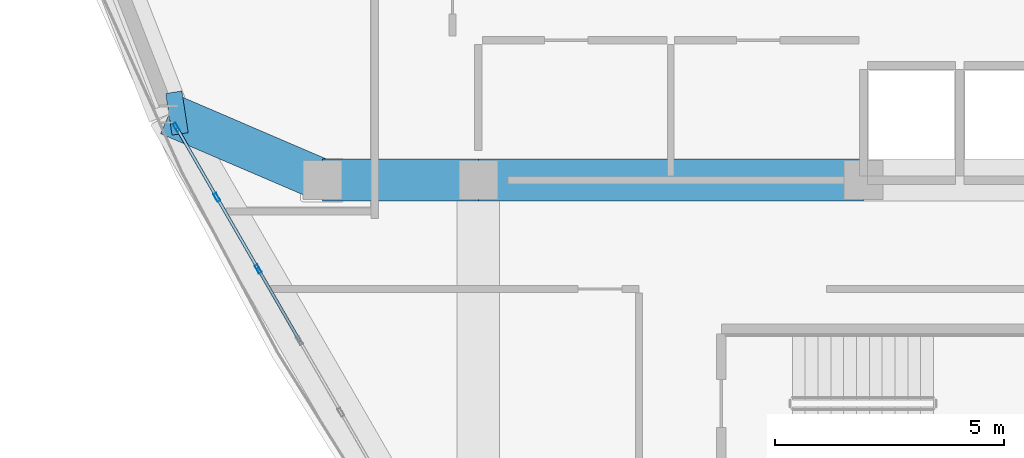
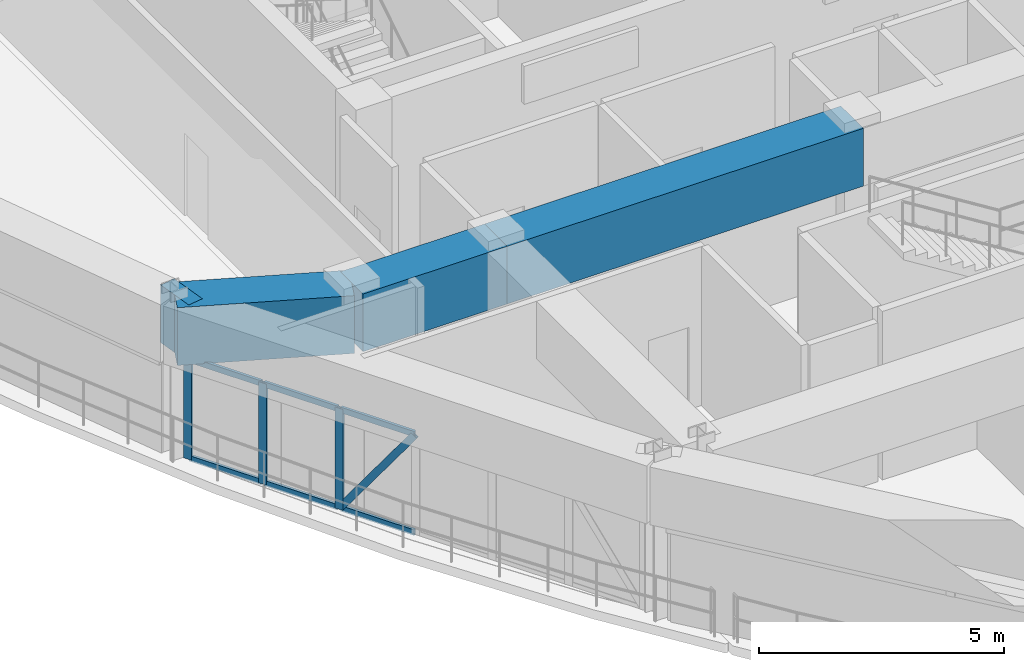
# One storey, part 5 of 18: 10 members, 4 beams, 1 element without a shape of its own.
"""IFC4 building model written with IfcOpenShell, lengths in metres."""

from ifc_helpers import new_model, si_unit, derived_unit, direction, frame, origin, origin_2d, place, context, subcontext, project, spatial, rectangle, hollow_rectangle, extrude, source, transform, mapped, material, layer, layer_set, material_profile, profile_set, type_object, element, aggregate, save


model = new_model("IFC4")

# Units and contexts
model_context = context("Model", 3, precision=1e-05, world=origin(), true_north=direction((0.0, 1.0)))
body_context = subcontext(model_context, "Body", "Model", "MODEL_VIEW")
ifc_project = project(units=[si_unit("LENGTHUNIT", "METRE"), si_unit("AREAUNIT", "SQUARE_METRE"), si_unit("VOLUMEUNIT", "CUBIC_METRE"), si_unit("PLANEANGLEUNIT", "RADIAN"), si_unit("MASSUNIT", "GRAM", prefix="KILO"), derived_unit("THERMALTRANSMITTANCEUNIT", [(si_unit("POWERUNIT", "WATT"), 1), (si_unit("LENGTHUNIT", "METRE"), -2), (si_unit("THERMODYNAMICTEMPERATUREUNIT", "KELVIN"), -1)])], contexts=[model_context])

# Site, building, storey
site_placement = place(None, origin())
site = spatial("IfcSite", under=ifc_project, at=site_placement, CompositionType="ELEMENT")
building_placement = place(site_placement, origin())
building = spatial("IfcBuilding", under=site, at=building_placement, Name="Korsvarv Bourse and Concert Hall", CompositionType="ELEMENT")
storey_placement = place(building_placement, frame((0.0, 0.0, 275.39990234375)))
storey = spatial("IfcBuildingStorey", under=building, at=storey_placement, Name="L72", CompositionType="ELEMENT", Elevation=275.39990234375)

# Beams
ifc_material_1 = material(Name="Concrete C50/60", Category="concrete")
ifc_material_profile_1 = material_profile(ifc_material_1, rectangle(XDim=0.919921875, YDim=1.43994140625, at=origin_2d()), Name="RC-BM 920x1440")
ifc_profile_set_1 = profile_set([ifc_material_profile_1], Name="Concrete C50/60")
beam_type = type_object("IfcBeamType", Name="BM-TR-144", PredefinedType="BEAM", material=ifc_profile_set_1)
shared_shape_1 = source(origin(), body_context, "Body", "SweptSolid", [
    extrude(rectangle(XDim=0.919921875, YDim=1.43994140625, at=origin_2d()), origin(), (0.0, 0.0, 1.0), 3.400146484375),
])
beam_1_placement = place(storey_placement, frame((24.199951171875, 32.39990234375, 3.239990234375), z_axis=(1.0, 0.0, 0.0), x_axis=(0.0, 1.0, 0.0)))
element("IfcBeam", 1, at=beam_1_placement, inside=storey, type_object=beam_type, Name="L72 beam B-TR4", PredefinedType="BEAM", context=body_context, shape_type="MappedRepresentation", body=[
    mapped(shared_shape_1, transform((0.0, 0.0, 0.0), scale=1.0)),
])
shared_shape_2 = source(origin(), body_context, "Body", "SweptSolid", [
    extrude(rectangle(XDim=0.919921875, YDim=1.43994140625, at=origin_2d()), origin(), (0.0, 0.0, 1.0), 8.39990234375),
])
beam_2_placement = place(storey_placement, frame((27.60009765625, 32.39990234375, 3.239990234375), z_axis=(1.0, 0.0, 0.0), x_axis=(0.0, 1.0, 0.0)))
element("IfcBeam", 2, at=beam_2_placement, inside=storey, type_object=beam_type, Name="L72 beam B-TR4", PredefinedType="BEAM", context=body_context, shape_type="MappedRepresentation", body=[
    mapped(shared_shape_2, transform((0.0, 0.0, 0.0), scale=1.0)),
])
shared_shape_3 = source(origin(), body_context, "Body", "SweptSolid", [
    extrude(rectangle(XDim=0.919921875, YDim=1.43994140625, at=origin_2d()), origin(), (0.0, 0.0, 1.0), 3.641845703125),
])
beam_3_placement = place(storey_placement, frame((20.85302734375, 33.835693359375, 3.239990234375), z_axis=(0.9190062764, -0.394242899665, 0.0), x_axis=(0.394242899665, 0.9190062764, 0.0)))
element("IfcBeam", 3, at=beam_3_placement, inside=storey, type_object=beam_type, Name="L72 beam B-TR4", PredefinedType="BEAM", context=body_context, shape_type="MappedRepresentation", body=[
    mapped(shared_shape_3, transform((0.0, 0.0, 0.0), scale=1.0)),
])
shared_shape_4 = source(origin(), body_context, "Body", "SweptSolid", [
    extrude(rectangle(XDim=0.919921875, YDim=1.43994140625, at=origin_2d()), origin(), (0.0, 0.0, 1.0), 0.3564453125),
])
beam_4_placement = place(storey_placement, frame((20.85302734375, 33.835693359375, 3.239990234375), z_axis=(0.988576712642, 0.150718556328, 0.0), x_axis=(-0.150718556328, 0.988576712642, 0.0)))
element("IfcBeam", 4, at=beam_4_placement, inside=storey, type_object=beam_type, Name="L72 beam B-TR4", PredefinedType="BEAM", context=body_context, shape_type="MappedRepresentation", body=[
    mapped(shared_shape_4, transform((0.0, 0.0, 0.0), scale=1.0)),
])

# Curtain wall, members
ifc_material_2 = material(Name="Anodised aluminium and triple low-E glazing", Category="glass")
ifc_layer = layer(ifc_material_2, 0.18994140625)
ifc_layer_set = layer_set([ifc_layer], Name="Anodised aluminium and triple low-E glazing")
curtain_wall_type = type_object("IfcCurtainWallType", Name="CW-SYS-4", PredefinedType="NOTDEFINED", material=ifc_layer_set)
curtain_wall_placement = place(storey_placement, origin())
curtain_wall = element("IfcCurtainWall", 5, at=curtain_wall_placement, inside=storey, type_object=curtain_wall_type, Name="L72 CW4 curtain wall CW-L72-F07", PredefinedType="NOTDEFINED")
ifc_material_3 = material(Name="Extruded aluminium EN AW-6063 T66", Category="aluminium")
ifc_material_profile_2 = material_profile(ifc_material_3, hollow_rectangle(XDim=0.070068359375, YDim=0.18994140625, WallThickness=0.0048828125, at=origin_2d()), Name="ALU-M 70x190")
ifc_profile_set_2 = profile_set([ifc_material_profile_2], Name="Extruded aluminium EN AW-6063 T66")
member_type_1 = type_object("IfcMemberType", Name="CWM-190", PredefinedType="MULLION", material=ifc_profile_set_2)
shared_shape_5 = source(origin(), body_context, "Body", "SweptSolid", [
    extrude(hollow_rectangle(XDim=0.070068359375, YDim=0.18994140625, WallThickness=0.0048828125, at=origin_2d()), origin(), (0.0, 0.0, 1.0), 2.52001953125),
])
member_1_placement = place(storey_placement, frame((21.0146484375, 33.555908203125, 0.0), z_axis=(0.0, 0.0, 1.0), x_axis=(0.866023090804, 0.500004006179, 0.0)))
member_1 = element("IfcMember", 6, at=member_1_placement, type_object=member_type_1, Name="CW4 mullion 1", PredefinedType="MULLION", context=body_context, shape_type="MappedRepresentation", body=[
    mapped(shared_shape_5, transform((0.0, 0.0, 0.0), scale=1.0)),
])
member_2_placement = place(storey_placement, frame((21.89892578125, 32.024169921875, 0.0), z_axis=(0.0, 0.0, 1.0), x_axis=(0.866023090804, 0.500004006179, 0.0)))
member_2 = element("IfcMember", 7, at=member_2_placement, type_object=member_type_1, Name="CW4 mullion 2", PredefinedType="MULLION", context=body_context, shape_type="MappedRepresentation", body=[
    mapped(shared_shape_5, transform((0.0, 0.0, 0.0), scale=1.0)),
])
member_3_placement = place(storey_placement, frame((22.80078125, 30.462158203125, 0.0), z_axis=(0.0, 0.0, 1.0), x_axis=(0.866023090804, 0.500004006179, 0.0)))
member_3 = element("IfcMember", 8, at=member_3_placement, type_object=member_type_1, Name="CW4 mullion 3", PredefinedType="MULLION", context=body_context, shape_type="MappedRepresentation", body=[
    mapped(shared_shape_5, transform((0.0, 0.0, 0.0), scale=1.0)),
])
ifc_material_profile_3 = material_profile(ifc_material_3, hollow_rectangle(XDim=0.06494140625, YDim=0.139892578125, WallThickness=0.00390625, at=origin_2d()), Name="ALU-T 65x140")
ifc_profile_set_3 = profile_set([ifc_material_profile_3], Name="Extruded aluminium EN AW-6063 T66")
member_type_2 = type_object("IfcMemberType", Name="CWT-140", PredefinedType="USERDEFINED", material=ifc_profile_set_3)
shared_shape_6 = source(origin(), body_context, "Body", "SweptSolid", [
    extrude(hollow_rectangle(XDim=0.06494140625, YDim=0.139892578125, WallThickness=0.00390625, at=origin_2d()), origin(), (0.0, 0.0, 1.0), 1.69873046875),
])
member_4_placement = place(storey_placement, frame((21.031982421875, 33.525634765625, 0.03271484375), z_axis=(0.499987849973, -0.866032418492, 0.0), x_axis=(0.866032418492, 0.499987849973, 0.0)))
member_4 = element("IfcMember", 9, at=member_4_placement, type_object=member_type_2, Name="CW4 transom 1.1", ObjectType="TRANSOM", PredefinedType="USERDEFINED", context=body_context, shape_type="MappedRepresentation", body=[
    mapped(shared_shape_6, transform((0.0, 0.0, 0.0), scale=1.0)),
])
member_5_placement = place(storey_placement, frame((21.031982421875, 33.525634765625, 2.487548828125), z_axis=(0.499987849973, -0.866032418492, 0.0), x_axis=(0.866032418492, 0.499987849973, 0.0)))
member_5 = element("IfcMember", 10, at=member_5_placement, type_object=member_type_2, Name="CW4 transom 1.2", ObjectType="TRANSOM", PredefinedType="USERDEFINED", context=body_context, shape_type="MappedRepresentation", body=[
    mapped(shared_shape_6, transform((0.0, 0.0, 0.0), scale=1.0)),
])
shared_shape_7 = source(origin(), body_context, "Body", "SweptSolid", [
    extrude(hollow_rectangle(XDim=0.06494140625, YDim=0.139892578125, WallThickness=0.00390625, at=origin_2d()), origin(), (0.0, 0.0, 1.0), 1.733642578125),
])
member_6_placement = place(storey_placement, frame((21.91650390625, 31.993896484375, 0.03271484375), z_axis=(0.499925626596, -0.866068339032, 0.0), x_axis=(0.866068339032, 0.499925626596, 0.0)))
member_6 = element("IfcMember", 11, at=member_6_placement, type_object=member_type_2, Name="CW4 transom 2.1", ObjectType="TRANSOM", PredefinedType="USERDEFINED", context=body_context, shape_type="MappedRepresentation", body=[
    mapped(shared_shape_7, transform((0.0, 0.0, 0.0), scale=1.0)),
])
member_7_placement = place(storey_placement, frame((21.91650390625, 31.993896484375, 2.487548828125), z_axis=(0.499925626596, -0.866068339032, 0.0), x_axis=(0.866068339032, 0.499925626596, 0.0)))
member_7 = element("IfcMember", 12, at=member_7_placement, type_object=member_type_2, Name="CW4 transom 2.2", ObjectType="TRANSOM", PredefinedType="USERDEFINED", context=body_context, shape_type="MappedRepresentation", body=[
    mapped(shared_shape_7, transform((0.0, 0.0, 0.0), scale=1.0)),
])
member_8_placement = place(storey_placement, frame((22.818359375, 30.431884765625, 0.03271484375), z_axis=(0.499925626596, -0.866068339032, 0.0), x_axis=(0.866068339032, 0.499925626596, 0.0)))
member_8 = element("IfcMember", 13, at=member_8_placement, type_object=member_type_2, Name="CW4 transom 3.1", ObjectType="TRANSOM", PredefinedType="USERDEFINED", context=body_context, shape_type="MappedRepresentation", body=[
    mapped(shared_shape_7, transform((0.0, 0.0, 0.0), scale=1.0)),
])
member_9_placement = place(storey_placement, frame((22.818359375, 30.431884765625, 2.487548828125), z_axis=(0.499925626596, -0.866068339032, 0.0), x_axis=(0.866068339032, 0.499925626596, 0.0)))
member_9 = element("IfcMember", 14, at=member_9_placement, type_object=member_type_2, Name="CW4 transom 3.2", ObjectType="TRANSOM", PredefinedType="USERDEFINED", context=body_context, shape_type="MappedRepresentation", body=[
    mapped(shared_shape_7, transform((0.0, 0.0, 0.0), scale=1.0)),
])
ifc_material_profile_4 = material_profile(ifc_material_3, hollow_rectangle(XDim=0.06494140625, YDim=0.1650390625, WallThickness=0.0048828125, at=origin_2d()), Name="ALU-M 65x165")
ifc_profile_set_4 = profile_set([ifc_material_profile_4], Name="Extruded aluminium EN AW-6063 T66")
member_type_3 = type_object("IfcMemberType", Name="CWM-165", PredefinedType="MULLION", material=ifc_profile_set_4)
shared_shape_8 = source(origin(), body_context, "Body", "SweptSolid", [
    extrude(hollow_rectangle(XDim=0.06494140625, YDim=0.1650390625, WallThickness=0.0048828125, at=origin_2d()), origin(), (0.0, 0.0, 1.0), 2.952392578125),
])
member_10_placement = place(storey_placement, frame((22.818359375, 30.431884765625, 0.065185546875), z_axis=(0.29354935258, -0.50854324461, 0.809452003494), x_axis=(0.866068339032, 0.499925626596, 0.0)))
member_10 = element("IfcMember", 15, at=member_10_placement, type_object=member_type_3, Name="CW4 diagonal mullion 3", PredefinedType="MULLION", context=body_context, shape_type="MappedRepresentation", body=[
    mapped(shared_shape_8, transform((0.0, 0.0, 0.0), scale=1.0)),
])
aggregate(curtain_wall, [member_1, member_2, member_3, member_4, member_5, member_6, member_7, member_8, member_9, member_10])

save(model, "model.ifc")
